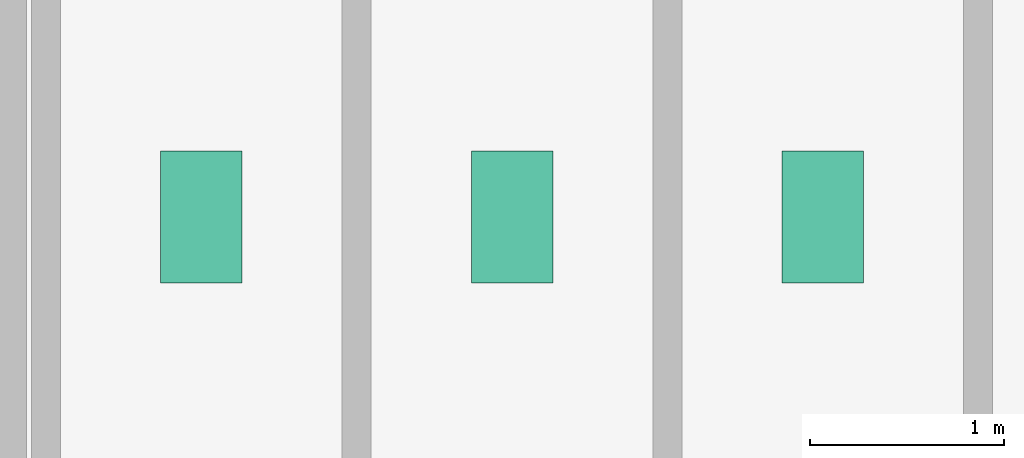
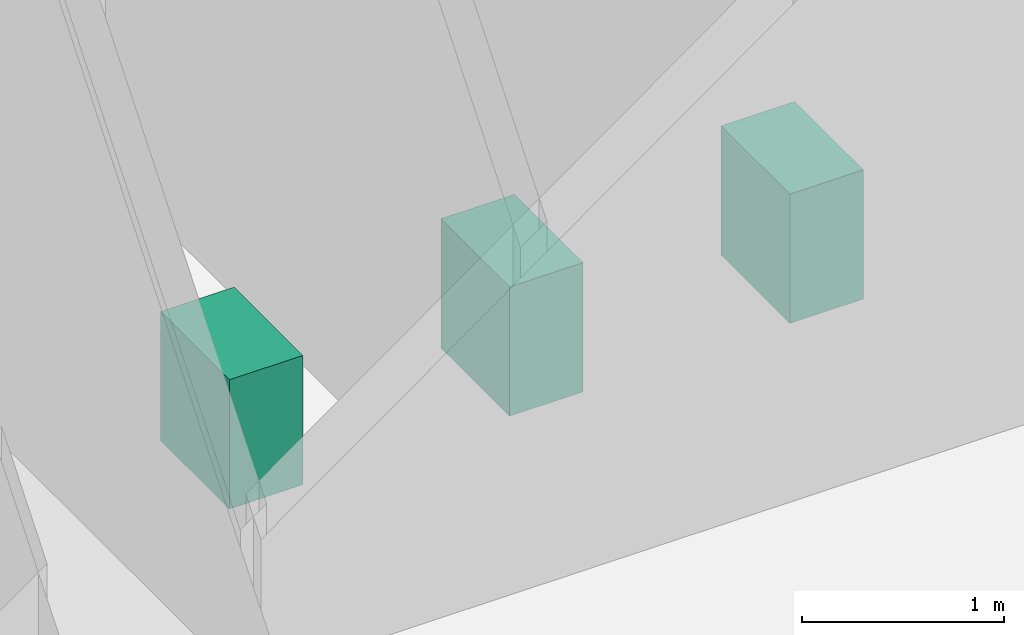
# One storey, part 22 of 22: 3 sanitary terminals.
"""IFC4 building model written with IfcOpenShell, lengths in metres."""

from ifc_helpers import new_model, si_unit, derived_unit, direction, frame, origin, origin_2d, place, context, subcontext, project, spatial, rectangle, extrude, source, transform, mapped, material, type_object, element, save


model = new_model("IFC4")

# Units and contexts
model_context = context("Model", 3, precision=1e-05, world=origin(), true_north=direction((0.0, 1.0)))
body_context = subcontext(model_context, "Body", "Model", "MODEL_VIEW")
ifc_project = project(units=[si_unit("LENGTHUNIT", "METRE"), si_unit("AREAUNIT", "SQUARE_METRE"), si_unit("VOLUMEUNIT", "CUBIC_METRE"), si_unit("PLANEANGLEUNIT", "RADIAN"), si_unit("MASSUNIT", "GRAM", prefix="KILO"), derived_unit("THERMALTRANSMITTANCEUNIT", [(si_unit("POWERUNIT", "WATT"), 1), (si_unit("LENGTHUNIT", "METRE"), -2), (si_unit("THERMODYNAMICTEMPERATUREUNIT", "KELVIN"), -1)])], contexts=[model_context])

# Site, building, storey
site_placement = place(None, origin())
site = spatial("IfcSite", under=ifc_project, at=site_placement, CompositionType="ELEMENT")
building_placement = place(site_placement, origin())
building = spatial("IfcBuilding", under=site, at=building_placement, Name="Skarnbrae Concourse Arena and Tower", CompositionType="ELEMENT")
storey_placement = place(building_placement, frame((0.0, 0.0, 61.699951171875)))
storey = spatial("IfcBuildingStorey", under=building, at=storey_placement, Name="L14", CompositionType="ELEMENT", Elevation=61.699951171875)

# Sanitary terminals
ifc_material = material(Name="Vitreous china sanitaryware", Category="other")
sanitary_terminal_type = type_object("IfcSanitaryTerminalType", Name="SAN-WC-VITREOUS", PredefinedType="TOILETPAN", material=ifc_material)
shared_shape = source(origin(), body_context, "Body", "SweptSolid", [
    extrude(rectangle(XDim=0.419921875, YDim=0.679931640625, at=origin_2d()), origin(), (0.0, 0.0, 1.0), 0.780029296875),
])
for number, where, z_axis, x_axis, name in (
    (1, (35.0, 11.39990234375, 0.0), (0.0, 0.0, 1.0), (1.0, 0.0, 0.0), "L14 Washroom WC fixture 1"),
    (2, (36.60009765625, 11.39990234375, 0.0), (0.0, 0.0, 1.0), (1.0, 0.0, 0.0), "L14 Washroom WC fixture 2"),
    (3, (38.199951171875, 11.39990234375, 0.0), (0.0, 0.0, 1.0), (1.0, 0.0, 0.0), "L14 Washroom WC fixture 3"),
):
    element("IfcSanitaryTerminal", number, at=place(storey_placement, frame(where, z_axis=z_axis, x_axis=x_axis)), inside=storey, type_object=sanitary_terminal_type, Name=name, PredefinedType="TOILETPAN", context=body_context, shape_type="MappedRepresentation", body=[
        mapped(shared_shape, transform((0.0, 0.0, 0.0))),
    ])

save(model, "model.ifc")
